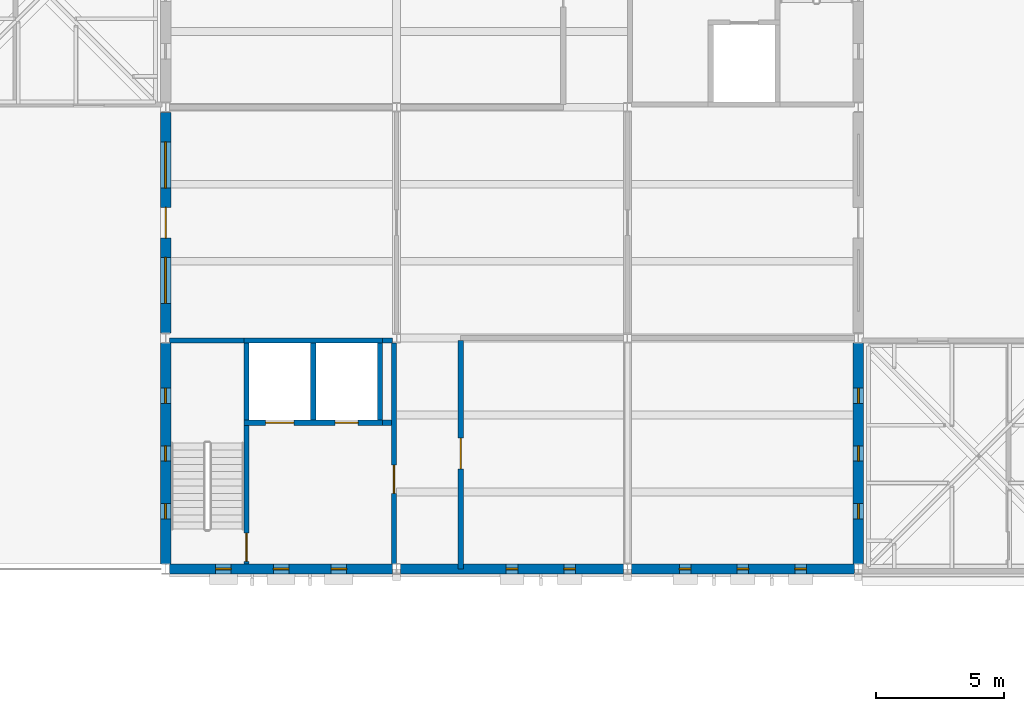
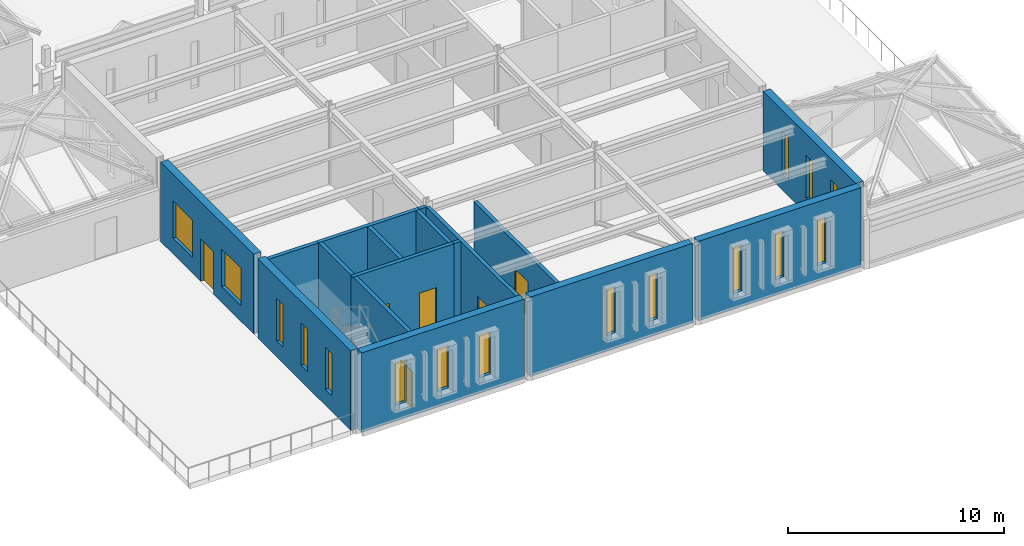
# One storey, part 89 of 149: 17 walls, 16 windows, 6 doors, 22 openings.
"""IFC4 building model written with IfcOpenShell, lengths in metres."""

from ifc_helpers import new_model, si_unit, direction, frame, frame_2d, origin, place, context, subcontext, project, spatial, rectangle, extrude, material, layer, layer_set, type_object, element, fill, save


model = new_model("IFC4")

# Units and contexts
model_context = context("Model", 3, precision=1e-05, world=origin(), true_north=direction((0.0, 1.0)))
body_context = subcontext(model_context, "Body", "Model", "MODEL_VIEW")
ifc_project = project(units=[si_unit("LENGTHUNIT", "METRE"), si_unit("AREAUNIT", "SQUARE_METRE"), si_unit("VOLUMEUNIT", "CUBIC_METRE"), si_unit("PLANEANGLEUNIT", "RADIAN"), si_unit("MASSUNIT", "GRAM", prefix="KILO")], contexts=[model_context])

# Site, building, storey
site_placement = place(None, origin())
site = spatial("IfcSite", under=ifc_project, at=site_placement, CompositionType="ELEMENT")
building_placement = place(site_placement, origin())
building = spatial("IfcBuilding", under=site, at=building_placement, Name="Kallimachos Central Library", CompositionType="ELEMENT")
storey_placement = place(building_placement, frame((0.0, 0.0, 9.89990234375)))
storey = spatial("IfcBuildingStorey", under=building, at=storey_placement, Name="L02", CompositionType="ELEMENT", Elevation=9.89990234375)

# Wall, opening, door
ifc_material_1 = material(Name="Concrete C30/37", Category="concrete")
ifc_layer_1 = layer(ifc_material_1, 0.199951171875)
ifc_layer_set_1 = layer_set([ifc_layer_1], Name="Compartment wall 200")
wall_type_1 = type_object("IfcWallType", Name="Compartment wall 200", PredefinedType="SOLIDWALL", material=ifc_layer_set_1)
wall_1_placement = place(storey_placement, frame((86.0, 18.0, 0.0), z_axis=(0.0, 0.0, 1.0), x_axis=(0.0, 1.0, 0.0)))
wall_1 = element("IfcWall", 1, at=wall_1_placement, inside=storey, type_object=wall_type_1, Name="V5-WAL-L02-052", PredefinedType="SOLIDWALL", context=body_context, shape_type="SweptSolid", body=[
    extrude(rectangle(XDim=8.89990234375, YDim=0.199951171875, at=frame_2d((4.449951171875, 0.0))), origin(), (0.0, 0.0, 1.0), 3.60009765625),
])
opening_1_placement = place(wall_1_placement, frame((3.89990234375, 0.0, 0.0)))
opening_1 = element("IfcOpeningElement", 2, at=opening_1_placement, cuts=wall_1, Name="Opening D119", PredefinedType="OPENING", context=body_context, shape_type="SweptSolid", body=[
    extrude(rectangle(XDim=1.199951171875, YDim=2.10009765625, at=frame_2d((0.60009765625, 1.050048828125))), frame((0.0, 0.10986328125, 0.0), z_axis=(0.0, -1.0, 0.0), x_axis=(1.0, 0.0, 0.0)), (0.0, 0.0, 1.0), 0.219970703125),
])
ifc_material_2 = material(Name="Steel fire door", Category="steel")
door_type_1 = type_object("IfcDoorType", Name="Fire door EI2 90 1200 x 2100", OperationType="DOUBLE_DOOR_SINGLE_SWING", PredefinedType="DOOR", material=ifc_material_2)
door_1_placement = place(opening_1_placement, origin())
door_1 = element("IfcDoor", 3, at=door_1_placement, inside=storey, type_object=door_type_1, Name="Archive Store 2 door", OperationType="DOUBLE_DOOR_SINGLE_SWING", OverallHeight=2.10009765625, OverallWidth=1.199951171875, PredefinedType="DOOR", context=body_context, shape_type="SweptSolid", body=[
    extrude(rectangle(XDim=1.199951171875, YDim=2.10009765625, at=frame_2d((0.60009765625, 1.050048828125))), frame((0.0, 0.02490234375, 0.0), z_axis=(0.0, -1.0, 0.0), x_axis=(1.0, 0.0, 0.0)), (0.0, 0.0, 1.0), 0.050048828125),
])
fill(opening_1, door_1)

# Walls
ifc_material_3 = material(Name="Concrete C30/37", Category="concrete")
ifc_layer_2 = layer(ifc_material_3, 0.199951171875)
ifc_layer_set_2 = layer_set([ifc_layer_2], Name="Core wall 200")
wall_type_2 = type_object("IfcWallType", Name="Core wall 200", PredefinedType="SOLIDWALL", material=ifc_layer_set_2)
wall_2_placement = place(storey_placement, frame((74.64990234375, 26.89990234375, 0.0), z_axis=(0.0, 0.0, 1.0), x_axis=(1.0, 0.0, 0.0)))
element("IfcWall", 4, at=wall_2_placement, inside=storey, type_object=wall_type_2, Name="V5-WAL-L02-036", PredefinedType="SOLIDWALL", context=body_context, shape_type="SweptSolid", body=[
    extrude(rectangle(XDim=2.900146484375, YDim=0.199951171875, at=frame_2d((1.4501953125, 0.0))), origin(), (0.0, 0.0, 1.0), 4.25),
])
wall_3_placement = place(storey_placement, frame((82.949951171875, 26.89990234375, 0.0), z_axis=(0.0, 0.0, 1.0), x_axis=(1.0, 0.0, 0.0)))
element("IfcWall", 5, at=wall_3_placement, inside=storey, type_object=wall_type_2, Name="V5-WAL-L02-037", PredefinedType="SOLIDWALL", context=body_context, shape_type="SweptSolid", body=[
    extrude(rectangle(XDim=0.3955078125, YDim=0.199951171875, at=frame_2d((0.19775390625, 0.0))), origin(), (0.0, 0.0, 1.0), 4.25),
])

# Wall, opening, door
wall_4_placement = place(storey_placement, frame((83.39990234375, 18.199951171875, 0.0), z_axis=(0.0, 0.0, 1.0), x_axis=(0.0, 1.0, 0.0)))
wall_4 = element("IfcWall", 6, at=wall_4_placement, inside=storey, type_object=wall_type_2, Name="V5-WAL-L02-038", PredefinedType="SOLIDWALL", context=body_context, shape_type="SweptSolid", body=[
    extrude(rectangle(XDim=8.611572265625, YDim=0.199951171875, at=frame_2d((4.3056640625, 0.0))), origin(), (0.0, 0.0, 1.0), 4.25),
])
opening_2_placement = place(wall_4_placement, frame((2.75, 0.0, 0.0)))
opening_2 = element("IfcOpeningElement", 7, at=opening_2_placement, cuts=wall_4, Name="Opening D110", PredefinedType="OPENING", context=body_context, shape_type="SweptSolid", body=[
    extrude(rectangle(XDim=1.10009765625, YDim=2.10009765625, at=frame_2d((0.550048828125, 1.050048828125))), frame((0.0, 0.10986328125, 0.0), z_axis=(0.0, -1.0, 0.0), x_axis=(1.0, 0.0, 0.0)), (0.0, 0.0, 1.0), 0.219970703125),
])
ifc_material_4 = material(Name="Steel fire door", Category="steel")
door_type_2 = type_object("IfcDoorType", Name="Fire door EI2 90 1100 x 2100", OperationType="NOTDEFINED", PredefinedType="DOOR", material=ifc_material_4)
door_2_placement = place(opening_2_placement, origin())
door_2 = element("IfcDoor", 8, at=door_2_placement, inside=storey, type_object=door_type_2, Name="ST13 lobby door L02", OperationType="SINGLE_SWING_RIGHT", OverallHeight=2.10009765625, OverallWidth=1.10009765625, PredefinedType="DOOR", context=body_context, shape_type="SweptSolid", body=[
    extrude(rectangle(XDim=1.10009765625, YDim=2.10009765625, at=frame_2d((0.550048828125, 1.050048828125))), frame((0.0, 0.02490234375, 0.0), z_axis=(0.0, -1.0, 0.0), x_axis=(1.0, 0.0, 0.0)), (0.0, 0.0, 1.0), 0.050048828125),
])
fill(opening_2, door_2)

wall_5_placement = place(storey_placement, frame((77.64990234375, 18.199951171875, 0.0), z_axis=(0.0, 0.0, 1.0), x_axis=(0.0, 1.0, 0.0)))
wall_5 = element("IfcWall", 9, at=wall_5_placement, inside=storey, type_object=wall_type_2, Name="V5-WAL-L02-039", PredefinedType="SOLIDWALL", context=body_context, shape_type="SweptSolid", body=[
    extrude(rectangle(XDim=5.60009765625, YDim=0.199951171875, at=frame_2d((2.800048828125, 0.0))), origin(), (0.0, 0.0, 1.0), 4.25),
])
opening_3_placement = place(wall_5_placement, frame((0.10009765625, 0.0, 0.0)))
opening_3 = element("IfcOpeningElement", 10, at=opening_3_placement, cuts=wall_5, Name="Opening D109", PredefinedType="OPENING", context=body_context, shape_type="SweptSolid", body=[
    extrude(rectangle(XDim=1.10009765625, YDim=2.10009765625, at=frame_2d((0.550048828125, 1.050048828125))), frame((0.0, 0.10986328125, 0.0), z_axis=(0.0, -1.0, 0.0), x_axis=(1.0, 0.0, 0.0)), (0.0, 0.0, 1.0), 0.219970703125),
])
door_3_placement = place(opening_3_placement, origin())
door_3 = element("IfcDoor", 11, at=door_3_placement, inside=storey, type_object=door_type_2, Name="ST13 stair door L02", OperationType="SINGLE_SWING_RIGHT", OverallHeight=2.10009765625, OverallWidth=1.10009765625, PredefinedType="DOOR", context=body_context, shape_type="SweptSolid", body=[
    extrude(rectangle(XDim=1.10009765625, YDim=2.10009765625, at=frame_2d((0.550048828125, 1.050048828125))), frame((0.0, 0.02490234375, 0.0), z_axis=(0.0, -1.0, 0.0), x_axis=(1.0, 0.0, 0.0)), (0.0, 0.0, 1.0), 0.050048828125),
])
fill(opening_3, door_3)

# Wall
wall_6_placement = place(storey_placement, frame((82.949951171875, 23.699951171875, 0.0), z_axis=(0.0, 0.0, 1.0), x_axis=(1.0, 0.0, 0.0)))
element("IfcWall", 12, at=wall_6_placement, inside=storey, type_object=wall_type_2, Name="V5-WAL-L02-040", PredefinedType="SOLIDWALL", context=body_context, shape_type="SweptSolid", body=[
    extrude(rectangle(XDim=0.35009765625, YDim=0.199951171875, at=frame_2d((0.175048828125, 0.0))), origin(), (0.0, 0.0, 1.0), 4.25),
])

# Wall, openings, doors
ifc_material_5 = material(Name="Concrete C30/37", Category="concrete")
ifc_layer_3 = layer(ifc_material_5, 0.199951171875)
ifc_layer_set_3 = layer_set([ifc_layer_3], Name="Lift shaft wall 200")
wall_type_3 = type_object("IfcWallType", Name="Lift shaft wall 200", PredefinedType="SOLIDWALL", material=ifc_layer_set_3)
wall_7_placement = place(storey_placement, frame((77.550048828125, 23.699951171875, 0.0), z_axis=(0.0, 0.0, 1.0), x_axis=(1.0, 0.0, 0.0)))
wall_7 = element("IfcWall", 13, at=wall_7_placement, inside=storey, type_object=wall_type_3, Name="V5-WAL-L02-001", PredefinedType="SOLIDWALL", context=body_context, shape_type="SweptSolid", body=[
    extrude(rectangle(XDim=5.39990234375, YDim=0.199951171875, at=frame_2d((2.699951171875, 0.0))), origin(), (0.0, 0.0, 1.0), 4.25),
])
opening_4_placement = place(wall_7_placement, frame((0.85009765625, 0.0, 0.0)))
opening_4 = element("IfcOpeningElement", 14, at=opening_4_placement, cuts=wall_7, Name="Opening LD1100", PredefinedType="OPENING", context=body_context, shape_type="SweptSolid", body=[
    extrude(rectangle(XDim=1.10009765625, YDim=2.10009765625, at=frame_2d((0.550048828125, 1.050048828125))), frame((0.0, 0.10986328125, 0.0), z_axis=(0.0, -1.0, 0.0), x_axis=(1.0, 0.0, 0.0)), (0.0, 0.0, 1.0), 0.219970703125),
])
opening_5_placement = place(wall_7_placement, frame((3.550048828125, 0.0, 0.0)))
opening_5 = element("IfcOpeningElement", 15, at=opening_5_placement, cuts=wall_7, Name="Opening LD900", PredefinedType="OPENING", context=body_context, shape_type="SweptSolid", body=[
    extrude(rectangle(XDim=0.89990234375, YDim=2.10009765625, at=frame_2d((0.449951171875, 1.050048828125))), frame((0.0, 0.10986328125, 0.0), z_axis=(0.0, -1.0, 0.0), x_axis=(1.0, 0.0, 0.0)), (0.0, 0.0, 1.0), 0.219970703125),
])
ifc_material_6 = material(Name="Stainless steel", Category="steel")
door_type_3 = type_object("IfcDoorType", Name="Lift landing door 1100 x 2100", OperationType="SLIDING_TO_LEFT", PredefinedType="DOOR", material=ifc_material_6)
door_4_placement = place(opening_4_placement, origin())
door_4 = element("IfcDoor", 16, at=door_4_placement, inside=storey, type_object=door_type_3, Name="LF11 landing door L02", OperationType="SLIDING_TO_LEFT", OverallHeight=2.10009765625, OverallWidth=1.10009765625, PredefinedType="DOOR", context=body_context, shape_type="SweptSolid", body=[
    extrude(rectangle(XDim=1.10009765625, YDim=2.10009765625, at=frame_2d((0.550048828125, 1.050048828125))), frame((0.0, 0.02490234375, 0.0), z_axis=(0.0, -1.0, 0.0), x_axis=(1.0, 0.0, 0.0)), (0.0, 0.0, 1.0), 0.050048828125),
])
fill(opening_4, door_4)
ifc_material_7 = material(Name="Stainless steel", Category="steel")
door_type_4 = type_object("IfcDoorType", Name="Lift landing door 900 x 2100", OperationType="SLIDING_TO_LEFT", PredefinedType="DOOR", material=ifc_material_7)
door_5_placement = place(opening_5_placement, origin())
door_5 = element("IfcDoor", 17, at=door_5_placement, inside=storey, type_object=door_type_4, Name="LF12 landing door L02", OperationType="SLIDING_TO_LEFT", OverallHeight=2.10009765625, OverallWidth=0.89990234375, PredefinedType="DOOR", context=body_context, shape_type="SweptSolid", body=[
    extrude(rectangle(XDim=0.89990234375, YDim=2.10009765625, at=frame_2d((0.449951171875, 1.050048828125))), frame((0.0, 0.02490234375, 0.0), z_axis=(0.0, -1.0, 0.0), x_axis=(1.0, 0.0, 0.0)), (0.0, 0.0, 1.0), 0.050048828125),
])
fill(opening_5, door_5)

# Walls
wall_8_placement = place(storey_placement, frame((77.550048828125, 26.89990234375, 0.0), z_axis=(0.0, 0.0, 1.0), x_axis=(1.0, 0.0, 0.0)))
element("IfcWall", 18, at=wall_8_placement, inside=storey, type_object=wall_type_3, Name="V5-WAL-L02-002", PredefinedType="SOLIDWALL", context=body_context, shape_type="SweptSolid", body=[
    extrude(rectangle(XDim=5.39990234375, YDim=0.199951171875, at=frame_2d((2.699951171875, 0.0))), origin(), (0.0, 0.0, 1.0), 4.25),
])
for number, where, z_axis, x_axis, name in (
    (19, (77.64990234375, 23.800048828125, 0.0), (0.0, 0.0, 1.0), (0.0, 1.0, 0.0), "V5-WAL-L02-003"),
    (20, (80.25, 23.800048828125, 0.0), (0.0, 0.0, 1.0), (0.0, 1.0, 0.0), "V5-WAL-L02-004"),
    (21, (82.85009765625, 23.800048828125, 0.0), (0.0, 0.0, 1.0), (0.0, 1.0, 0.0), "V5-WAL-L02-005"),
):
    element("IfcWall", number, at=place(storey_placement, frame(where, z_axis=z_axis, x_axis=x_axis)), inside=storey, type_object=wall_type_3, Name=name, PredefinedType="SOLIDWALL", context=body_context, shape_type="SweptSolid", body=[
        extrude(rectangle(XDim=3.0, YDim=0.199951171875, at=frame_2d((1.5, 0.0))), origin(), (0.0, 0.0, 1.0), 4.25),
    ])

# Wall, openings, windows
ifc_material_8 = material(Name="Pentelic marble masonry", Category="masonry")
ifc_layer_4 = layer(ifc_material_8, 0.39990234375)
ifc_layer_set_4 = layer_set([ifc_layer_4], Name="Stone masonry wall 400")
wall_type_4 = type_object("IfcWallType", Name="Stone masonry wall 400", PredefinedType="SOLIDWALL", material=ifc_layer_set_4)
wall_9_placement = place(storey_placement, frame((83.64990234375, 18.0, 0.0), z_axis=(0.0, 0.0, 1.0), x_axis=(1.0, 0.0, 0.0)))
wall_9 = element("IfcWall", 22, at=wall_9_placement, inside=storey, type_object=wall_type_4, Name="V5-WAL-L02-019", PredefinedType="SOLIDWALL", context=body_context, shape_type="SweptSolid", body=[
    extrude(rectangle(XDim=8.7001953125, YDim=0.39990234375, at=frame_2d((4.35009765625, 0.0))), origin(), (0.0, 0.0, 1.0), 4.5),
])
opening_6_placement = place(wall_9_placement, frame((4.125, 0.0, 0.89990234375)))
opening_6 = element("IfcOpeningElement", 23, at=opening_6_placement, cuts=wall_9, Name="Opening WN71", PredefinedType="OPENING", context=body_context, shape_type="SweptSolid", body=[
    extrude(rectangle(XDim=0.449951171875, YDim=2.60009765625, at=frame_2d((0.22509765625, 1.300048828125))), frame((0.0, 0.2099609375, 0.0), z_axis=(0.0, -1.0, 0.0), x_axis=(1.0, 0.0, 0.0)), (0.0, 0.0, 1.0), 0.419921875),
])
opening_7_placement = place(wall_9_placement, frame((6.375, 0.0, 0.89990234375)))
opening_7 = element("IfcOpeningElement", 24, at=opening_7_placement, cuts=wall_9, Name="Opening WN72", PredefinedType="OPENING", context=body_context, shape_type="SweptSolid", body=[
    extrude(rectangle(XDim=0.449951171875, YDim=2.60009765625, at=frame_2d((0.22509765625, 1.300048828125))), frame((0.0, 0.2099609375, 0.0), z_axis=(0.0, -1.0, 0.0), x_axis=(1.0, 0.0, 0.0)), (0.0, 0.0, 1.0), 0.419921875),
])
ifc_material_9 = material(Name="Anodised aluminium and laminated glass", Category="aluminium")
window_type_1 = type_object("IfcWindowType", Name="Stack slot window 450 x 2600", PartitioningType="SINGLE_PANEL", PredefinedType="WINDOW", material=ifc_material_9)
window_1_placement = place(opening_6_placement, origin())
window_1 = element("IfcWindow", 25, at=window_1_placement, inside=storey, type_object=window_type_1, Name="V5-WIN-L02-004", OverallHeight=2.60009765625, OverallWidth=0.449951171875, PartitioningType="SINGLE_PANEL", PredefinedType="WINDOW", context=body_context, shape_type="SweptSolid", body=[
    extrude(rectangle(XDim=0.449951171875, YDim=2.60009765625, at=frame_2d((0.22509765625, 1.300048828125))), frame((0.0, 0.030029296875, 0.0), z_axis=(0.0, -1.0, 0.0), x_axis=(1.0, 0.0, 0.0)), (0.0, 0.0, 1.0), 0.06005859375),
])
fill(opening_6, window_1)
window_2_placement = place(opening_7_placement, origin())
window_2 = element("IfcWindow", 26, at=window_2_placement, inside=storey, type_object=window_type_1, Name="V5-WIN-L02-005", OverallHeight=2.60009765625, OverallWidth=0.449951171875, PartitioningType="SINGLE_PANEL", PredefinedType="WINDOW", context=body_context, shape_type="SweptSolid", body=[
    extrude(rectangle(XDim=0.449951171875, YDim=2.60009765625, at=frame_2d((0.22509765625, 1.300048828125))), frame((0.0, 0.030029296875, 0.0), z_axis=(0.0, -1.0, 0.0), x_axis=(1.0, 0.0, 0.0)), (0.0, 0.0, 1.0), 0.06005859375),
])
fill(opening_7, window_2)

wall_10_placement = place(storey_placement, frame((92.64990234375, 18.0, 0.0), z_axis=(0.0, 0.0, 1.0), x_axis=(1.0, 0.0, 0.0)))
wall_10 = element("IfcWall", 27, at=wall_10_placement, inside=storey, type_object=wall_type_4, Name="V5-WAL-L02-020", PredefinedType="SOLIDWALL", context=body_context, shape_type="SweptSolid", body=[
    extrude(rectangle(XDim=8.7001953125, YDim=0.39990234375, at=frame_2d((4.35009765625, 0.0))), origin(), (0.0, 0.0, 1.0), 4.5),
])
opening_8_placement = place(wall_10_placement, frame((1.875, 0.0, 0.89990234375)))
opening_8 = element("IfcOpeningElement", 28, at=opening_8_placement, cuts=wall_10, Name="Opening WN73", PredefinedType="OPENING", context=body_context, shape_type="SweptSolid", body=[
    extrude(rectangle(XDim=0.449951171875, YDim=2.60009765625, at=frame_2d((0.22509765625, 1.300048828125))), frame((0.0, 0.2099609375, 0.0), z_axis=(0.0, -1.0, 0.0), x_axis=(1.0, 0.0, 0.0)), (0.0, 0.0, 1.0), 0.419921875),
])
opening_9_placement = place(wall_10_placement, frame((4.125, 0.0, 0.89990234375)))
opening_9 = element("IfcOpeningElement", 29, at=opening_9_placement, cuts=wall_10, Name="Opening WN74", PredefinedType="OPENING", context=body_context, shape_type="SweptSolid", body=[
    extrude(rectangle(XDim=0.449951171875, YDim=2.60009765625, at=frame_2d((0.22509765625, 1.300048828125))), frame((0.0, 0.2099609375, 0.0), z_axis=(0.0, -1.0, 0.0), x_axis=(1.0, 0.0, 0.0)), (0.0, 0.0, 1.0), 0.419921875),
])
opening_10_placement = place(wall_10_placement, frame((6.375, 0.0, 0.89990234375)))
opening_10 = element("IfcOpeningElement", 30, at=opening_10_placement, cuts=wall_10, Name="Opening WN75", PredefinedType="OPENING", context=body_context, shape_type="SweptSolid", body=[
    extrude(rectangle(XDim=0.449951171875, YDim=2.60009765625, at=frame_2d((0.22509765625, 1.300048828125))), frame((0.0, 0.2099609375, 0.0), z_axis=(0.0, -1.0, 0.0), x_axis=(1.0, 0.0, 0.0)), (0.0, 0.0, 1.0), 0.419921875),
])
window_3_placement = place(opening_8_placement, origin())
window_3 = element("IfcWindow", 31, at=window_3_placement, inside=storey, type_object=window_type_1, Name="V5-WIN-L02-006", OverallHeight=2.60009765625, OverallWidth=0.449951171875, PartitioningType="SINGLE_PANEL", PredefinedType="WINDOW", context=body_context, shape_type="SweptSolid", body=[
    extrude(rectangle(XDim=0.449951171875, YDim=2.60009765625, at=frame_2d((0.22509765625, 1.300048828125))), frame((0.0, 0.030029296875, 0.0), z_axis=(0.0, -1.0, 0.0), x_axis=(1.0, 0.0, 0.0)), (0.0, 0.0, 1.0), 0.06005859375),
])
fill(opening_8, window_3)
window_4_placement = place(opening_9_placement, origin())
window_4 = element("IfcWindow", 32, at=window_4_placement, inside=storey, type_object=window_type_1, Name="V5-WIN-L02-007", OverallHeight=2.60009765625, OverallWidth=0.449951171875, PartitioningType="SINGLE_PANEL", PredefinedType="WINDOW", context=body_context, shape_type="SweptSolid", body=[
    extrude(rectangle(XDim=0.449951171875, YDim=2.60009765625, at=frame_2d((0.22509765625, 1.300048828125))), frame((0.0, 0.030029296875, 0.0), z_axis=(0.0, -1.0, 0.0), x_axis=(1.0, 0.0, 0.0)), (0.0, 0.0, 1.0), 0.06005859375),
])
fill(opening_9, window_4)
window_5_placement = place(opening_10_placement, origin())
window_5 = element("IfcWindow", 33, at=window_5_placement, inside=storey, type_object=window_type_1, Name="V5-WIN-L02-008", OverallHeight=2.60009765625, OverallWidth=0.449951171875, PartitioningType="SINGLE_PANEL", PredefinedType="WINDOW", context=body_context, shape_type="SweptSolid", body=[
    extrude(rectangle(XDim=0.449951171875, YDim=2.60009765625, at=frame_2d((0.22509765625, 1.300048828125))), frame((0.0, 0.030029296875, 0.0), z_axis=(0.0, -1.0, 0.0), x_axis=(1.0, 0.0, 0.0)), (0.0, 0.0, 1.0), 0.06005859375),
])
fill(opening_10, window_5)

# Wall, openings, door, windows
wall_11_placement = place(storey_placement, frame((74.5, 27.199951171875, 0.0), z_axis=(0.0, 0.0, 1.0), x_axis=(0.0, 1.0, 0.0)))
wall_11 = element("IfcWall", 34, at=wall_11_placement, inside=storey, type_object=wall_type_4, Name="V5-WAL-L02-025", PredefinedType="SOLIDWALL", context=body_context, shape_type="SweptSolid", body=[
    extrude(rectangle(XDim=8.60009765625, YDim=0.39990234375, at=frame_2d((4.300048828125, 0.0))), origin(), (0.0, 0.0, 1.0), 4.5),
])
opening_11_placement = place(wall_11_placement, frame((3.699951171875, 0.0, 0.0)))
opening_11 = element("IfcOpeningElement", 35, at=opening_11_placement, cuts=wall_11, Name="Opening D23", PredefinedType="OPENING", context=body_context, shape_type="SweptSolid", body=[
    extrude(rectangle(XDim=1.199951171875, YDim=2.39990234375, at=frame_2d((0.60009765625, 1.199951171875))), frame((0.0, 0.2099609375, 0.0), z_axis=(0.0, -1.0, 0.0), x_axis=(1.0, 0.0, 0.0)), (0.0, 0.0, 1.0), 0.419921875),
])
opening_12_placement = place(wall_11_placement, frame((1.14990234375, 0.0, 0.89990234375)))
opening_12 = element("IfcOpeningElement", 36, at=opening_12_placement, cuts=wall_11, Name="Opening WN87", PredefinedType="OPENING", context=body_context, shape_type="SweptSolid", body=[
    extrude(rectangle(XDim=1.800048828125, YDim=2.10009765625, at=frame_2d((0.89990234375, 1.050048828125))), frame((0.0, 0.2099609375, 0.0), z_axis=(0.0, -1.0, 0.0), x_axis=(1.0, 0.0, 0.0)), (0.0, 0.0, 1.0), 0.419921875),
])
opening_13_placement = place(wall_11_placement, frame((5.64990234375, 0.0, 0.89990234375)))
opening_13 = element("IfcOpeningElement", 37, at=opening_13_placement, cuts=wall_11, Name="Opening WN88", PredefinedType="OPENING", context=body_context, shape_type="SweptSolid", body=[
    extrude(rectangle(XDim=1.800048828125, YDim=2.10009765625, at=frame_2d((0.89990234375, 1.050048828125))), frame((0.0, 0.2099609375, 0.0), z_axis=(0.0, -1.0, 0.0), x_axis=(1.0, 0.0, 0.0)), (0.0, 0.0, 1.0), 0.419921875),
])
ifc_material_10 = material(Name="Anodised aluminium and laminated glass", Category="aluminium")
door_type_5 = type_object("IfcDoorType", Name="Garden door 1200 x 2400", OperationType="DOUBLE_DOOR_SINGLE_SWING", PredefinedType="DOOR", material=ifc_material_10)
door_6_placement = place(opening_11_placement, origin())
door_6 = element("IfcDoor", 38, at=door_6_placement, inside=storey, type_object=door_type_5, Name="West garden door", OperationType="DOUBLE_DOOR_SINGLE_SWING", OverallHeight=2.39990234375, OverallWidth=1.199951171875, PredefinedType="DOOR", context=body_context, shape_type="SweptSolid", body=[
    extrude(rectangle(XDim=1.199951171875, YDim=2.39990234375, at=frame_2d((0.60009765625, 1.199951171875))), frame((0.0, 0.02490234375, 0.0), z_axis=(0.0, -1.0, 0.0), x_axis=(1.0, 0.0, 0.0)), (0.0, 0.0, 1.0), 0.050048828125),
])
fill(opening_11, door_6)
ifc_material_11 = material(Name="Anodised aluminium and laminated glass", Category="aluminium")
window_type_2 = type_object("IfcWindowType", Name="Paired window 1800 x 2100", PartitioningType="SINGLE_PANEL", PredefinedType="WINDOW", material=ifc_material_11)
window_6_placement = place(opening_12_placement, origin())
window_6 = element("IfcWindow", 39, at=window_6_placement, inside=storey, type_object=window_type_2, Name="V5-WIN-L02-020", OverallHeight=2.10009765625, OverallWidth=1.800048828125, PartitioningType="SINGLE_PANEL", PredefinedType="WINDOW", context=body_context, shape_type="SweptSolid", body=[
    extrude(rectangle(XDim=1.800048828125, YDim=2.10009765625, at=frame_2d((0.89990234375, 1.050048828125))), frame((0.0, 0.030029296875, 0.0), z_axis=(0.0, -1.0, 0.0), x_axis=(1.0, 0.0, 0.0)), (0.0, 0.0, 1.0), 0.06005859375),
])
fill(opening_12, window_6)
window_7_placement = place(opening_13_placement, origin())
window_7 = element("IfcWindow", 40, at=window_7_placement, inside=storey, type_object=window_type_2, Name="V5-WIN-L02-021", OverallHeight=2.10009765625, OverallWidth=1.800048828125, PartitioningType="SINGLE_PANEL", PredefinedType="WINDOW", context=body_context, shape_type="SweptSolid", body=[
    extrude(rectangle(XDim=1.800048828125, YDim=2.10009765625, at=frame_2d((0.89990234375, 1.050048828125))), frame((0.0, 0.030029296875, 0.0), z_axis=(0.0, -1.0, 0.0), x_axis=(1.0, 0.0, 0.0)), (0.0, 0.0, 1.0), 0.06005859375),
])
fill(opening_13, window_7)

# Wall, openings, windows
ifc_material_12 = material(Name="Concrete C30/37", Category="concrete")
ifc_layer_5 = layer(ifc_material_12, 0.39990234375)
ifc_layer_set_5 = layer_set([ifc_layer_5], Name="Stone-clad core wall 400")
wall_type_5 = type_object("IfcWallType", Name="Stone-clad core wall 400", PredefinedType="SOLIDWALL", material=ifc_layer_set_5)
wall_12_placement = place(storey_placement, frame((74.64990234375, 18.0, 0.0), z_axis=(0.0, 0.0, 1.0), x_axis=(1.0, 0.0, 0.0)))
wall_12 = element("IfcWall", 41, at=wall_12_placement, inside=storey, type_object=wall_type_5, Name="V5-WAL-L02-018", PredefinedType="SOLIDWALL", context=body_context, shape_type="SweptSolid", body=[
    extrude(rectangle(XDim=8.7001953125, YDim=0.39990234375, at=frame_2d((4.35009765625, 0.0))), origin(), (0.0, 0.0, 1.0), 4.5),
])
opening_14_placement = place(wall_12_placement, frame((1.800048828125, 0.0, 0.89990234375)))
opening_14 = element("IfcOpeningElement", 42, at=opening_14_placement, cuts=wall_12, Name="Opening WN68", PredefinedType="OPENING", context=body_context, shape_type="SweptSolid", body=[
    extrude(rectangle(XDim=0.60009765625, YDim=2.39990234375, at=frame_2d((0.300048828125, 1.199951171875))), frame((0.0, 0.2099609375, 0.0), z_axis=(0.0, -1.0, 0.0), x_axis=(1.0, 0.0, 0.0)), (0.0, 0.0, 1.0), 0.419921875),
])
opening_15_placement = place(wall_12_placement, frame((4.050048828125, 0.0, 0.89990234375)))
opening_15 = element("IfcOpeningElement", 43, at=opening_15_placement, cuts=wall_12, Name="Opening WN69", PredefinedType="OPENING", context=body_context, shape_type="SweptSolid", body=[
    extrude(rectangle(XDim=0.60009765625, YDim=2.39990234375, at=frame_2d((0.300048828125, 1.199951171875))), frame((0.0, 0.2099609375, 0.0), z_axis=(0.0, -1.0, 0.0), x_axis=(1.0, 0.0, 0.0)), (0.0, 0.0, 1.0), 0.419921875),
])
opening_16_placement = place(wall_12_placement, frame((6.300048828125, 0.0, 0.89990234375)))
opening_16 = element("IfcOpeningElement", 44, at=opening_16_placement, cuts=wall_12, Name="Opening WN70", PredefinedType="OPENING", context=body_context, shape_type="SweptSolid", body=[
    extrude(rectangle(XDim=0.60009765625, YDim=2.39990234375, at=frame_2d((0.300048828125, 1.199951171875))), frame((0.0, 0.2099609375, 0.0), z_axis=(0.0, -1.0, 0.0), x_axis=(1.0, 0.0, 0.0)), (0.0, 0.0, 1.0), 0.419921875),
])
ifc_material_13 = material(Name="Anodised aluminium and laminated glass", Category="aluminium")
window_type_3 = type_object("IfcWindowType", Name="Slot window 600 x 2400", PartitioningType="SINGLE_PANEL", PredefinedType="WINDOW", material=ifc_material_13)
window_8_placement = place(opening_14_placement, origin())
window_8 = element("IfcWindow", 45, at=window_8_placement, inside=storey, type_object=window_type_3, Name="V5-WIN-L02-001", OverallHeight=2.39990234375, OverallWidth=0.60009765625, PartitioningType="SINGLE_PANEL", PredefinedType="WINDOW", context=body_context, shape_type="SweptSolid", body=[
    extrude(rectangle(XDim=0.60009765625, YDim=2.39990234375, at=frame_2d((0.300048828125, 1.199951171875))), frame((0.0, 0.030029296875, 0.0), z_axis=(0.0, -1.0, 0.0), x_axis=(1.0, 0.0, 0.0)), (0.0, 0.0, 1.0), 0.06005859375),
])
fill(opening_14, window_8)
window_9_placement = place(opening_15_placement, origin())
window_9 = element("IfcWindow", 46, at=window_9_placement, inside=storey, type_object=window_type_3, Name="V5-WIN-L02-002", OverallHeight=2.39990234375, OverallWidth=0.60009765625, PartitioningType="SINGLE_PANEL", PredefinedType="WINDOW", context=body_context, shape_type="SweptSolid", body=[
    extrude(rectangle(XDim=0.60009765625, YDim=2.39990234375, at=frame_2d((0.300048828125, 1.199951171875))), frame((0.0, 0.030029296875, 0.0), z_axis=(0.0, -1.0, 0.0), x_axis=(1.0, 0.0, 0.0)), (0.0, 0.0, 1.0), 0.06005859375),
])
fill(opening_15, window_9)
window_10_placement = place(opening_16_placement, origin())
window_10 = element("IfcWindow", 47, at=window_10_placement, inside=storey, type_object=window_type_3, Name="V5-WIN-L02-003", OverallHeight=2.39990234375, OverallWidth=0.60009765625, PartitioningType="SINGLE_PANEL", PredefinedType="WINDOW", context=body_context, shape_type="SweptSolid", body=[
    extrude(rectangle(XDim=0.60009765625, YDim=2.39990234375, at=frame_2d((0.300048828125, 1.199951171875))), frame((0.0, 0.030029296875, 0.0), z_axis=(0.0, -1.0, 0.0), x_axis=(1.0, 0.0, 0.0)), (0.0, 0.0, 1.0), 0.06005859375),
])
fill(opening_16, window_10)

wall_13_placement = place(storey_placement, frame((74.5, 18.199951171875, 0.0), z_axis=(0.0, 0.0, 1.0), x_axis=(0.0, 1.0, 0.0)))
wall_13 = element("IfcWall", 48, at=wall_13_placement, inside=storey, type_object=wall_type_5, Name="V5-WAL-L02-024", PredefinedType="SOLIDWALL", context=body_context, shape_type="SweptSolid", body=[
    extrude(rectangle(XDim=8.60009765625, YDim=0.39990234375, at=frame_2d((4.300048828125, 0.0))), origin(), (0.0, 0.0, 1.0), 4.5),
])
opening_17_placement = place(wall_13_placement, frame((1.75, 0.0, 0.89990234375)))
opening_17 = element("IfcOpeningElement", 49, at=opening_17_placement, cuts=wall_13, Name="Opening WN84", PredefinedType="OPENING", context=body_context, shape_type="SweptSolid", body=[
    extrude(rectangle(XDim=0.60009765625, YDim=2.39990234375, at=frame_2d((0.300048828125, 1.199951171875))), frame((0.0, 0.2099609375, 0.0), z_axis=(0.0, -1.0, 0.0), x_axis=(1.0, 0.0, 0.0)), (0.0, 0.0, 1.0), 0.419921875),
])
opening_18_placement = place(wall_13_placement, frame((4.0, 0.0, 0.89990234375)))
opening_18 = element("IfcOpeningElement", 50, at=opening_18_placement, cuts=wall_13, Name="Opening WN85", PredefinedType="OPENING", context=body_context, shape_type="SweptSolid", body=[
    extrude(rectangle(XDim=0.60009765625, YDim=2.39990234375, at=frame_2d((0.300048828125, 1.199951171875))), frame((0.0, 0.2099609375, 0.0), z_axis=(0.0, -1.0, 0.0), x_axis=(1.0, 0.0, 0.0)), (0.0, 0.0, 1.0), 0.419921875),
])
opening_19_placement = place(wall_13_placement, frame((6.25, 0.0, 0.89990234375)))
opening_19 = element("IfcOpeningElement", 51, at=opening_19_placement, cuts=wall_13, Name="Opening WN86", PredefinedType="OPENING", context=body_context, shape_type="SweptSolid", body=[
    extrude(rectangle(XDim=0.60009765625, YDim=2.39990234375, at=frame_2d((0.300048828125, 1.199951171875))), frame((0.0, 0.2099609375, 0.0), z_axis=(0.0, -1.0, 0.0), x_axis=(1.0, 0.0, 0.0)), (0.0, 0.0, 1.0), 0.419921875),
])
window_11_placement = place(opening_17_placement, origin())
window_11 = element("IfcWindow", 52, at=window_11_placement, inside=storey, type_object=window_type_3, Name="V5-WIN-L02-017", OverallHeight=2.39990234375, OverallWidth=0.60009765625, PartitioningType="SINGLE_PANEL", PredefinedType="WINDOW", context=body_context, shape_type="SweptSolid", body=[
    extrude(rectangle(XDim=0.60009765625, YDim=2.39990234375, at=frame_2d((0.300048828125, 1.199951171875))), frame((0.0, 0.030029296875, 0.0), z_axis=(0.0, -1.0, 0.0), x_axis=(1.0, 0.0, 0.0)), (0.0, 0.0, 1.0), 0.06005859375),
])
fill(opening_17, window_11)
window_12_placement = place(opening_18_placement, origin())
window_12 = element("IfcWindow", 53, at=window_12_placement, inside=storey, type_object=window_type_3, Name="V5-WIN-L02-018", OverallHeight=2.39990234375, OverallWidth=0.60009765625, PartitioningType="SINGLE_PANEL", PredefinedType="WINDOW", context=body_context, shape_type="SweptSolid", body=[
    extrude(rectangle(XDim=0.60009765625, YDim=2.39990234375, at=frame_2d((0.300048828125, 1.199951171875))), frame((0.0, 0.030029296875, 0.0), z_axis=(0.0, -1.0, 0.0), x_axis=(1.0, 0.0, 0.0)), (0.0, 0.0, 1.0), 0.06005859375),
])
fill(opening_18, window_12)
window_13_placement = place(opening_19_placement, origin())
window_13 = element("IfcWindow", 54, at=window_13_placement, inside=storey, type_object=window_type_3, Name="V5-WIN-L02-019", OverallHeight=2.39990234375, OverallWidth=0.60009765625, PartitioningType="SINGLE_PANEL", PredefinedType="WINDOW", context=body_context, shape_type="SweptSolid", body=[
    extrude(rectangle(XDim=0.60009765625, YDim=2.39990234375, at=frame_2d((0.300048828125, 1.199951171875))), frame((0.0, 0.030029296875, 0.0), z_axis=(0.0, -1.0, 0.0), x_axis=(1.0, 0.0, 0.0)), (0.0, 0.0, 1.0), 0.06005859375),
])
fill(opening_19, window_13)

wall_14_placement = place(storey_placement, frame((101.5, 18.199951171875, 0.0), z_axis=(0.0, 0.0, 1.0), x_axis=(0.0, 1.0, 0.0)))
wall_14 = element("IfcWall", 55, at=wall_14_placement, inside=storey, type_object=wall_type_5, Name="V5-WAL-L02-027", PredefinedType="SOLIDWALL", context=body_context, shape_type="SweptSolid", body=[
    extrude(rectangle(XDim=8.60009765625, YDim=0.39990234375, at=frame_2d((4.300048828125, 0.0))), origin(), (0.0, 0.0, 1.0), 4.5),
])
opening_20_placement = place(wall_14_placement, frame((1.75, 0.0, 0.89990234375)))
opening_20 = element("IfcOpeningElement", 56, at=opening_20_placement, cuts=wall_14, Name="Opening WN92", PredefinedType="OPENING", context=body_context, shape_type="SweptSolid", body=[
    extrude(rectangle(XDim=0.60009765625, YDim=2.39990234375, at=frame_2d((0.300048828125, 1.199951171875))), frame((0.0, 0.2099609375, 0.0), z_axis=(0.0, -1.0, 0.0), x_axis=(1.0, 0.0, 0.0)), (0.0, 0.0, 1.0), 0.419921875),
])
opening_21_placement = place(wall_14_placement, frame((4.0, 0.0, 0.89990234375)))
opening_21 = element("IfcOpeningElement", 57, at=opening_21_placement, cuts=wall_14, Name="Opening WN93", PredefinedType="OPENING", context=body_context, shape_type="SweptSolid", body=[
    extrude(rectangle(XDim=0.60009765625, YDim=2.39990234375, at=frame_2d((0.300048828125, 1.199951171875))), frame((0.0, 0.2099609375, 0.0), z_axis=(0.0, -1.0, 0.0), x_axis=(1.0, 0.0, 0.0)), (0.0, 0.0, 1.0), 0.419921875),
])
opening_22_placement = place(wall_14_placement, frame((6.25, 0.0, 0.89990234375)))
opening_22 = element("IfcOpeningElement", 58, at=opening_22_placement, cuts=wall_14, Name="Opening WN94", PredefinedType="OPENING", context=body_context, shape_type="SweptSolid", body=[
    extrude(rectangle(XDim=0.60009765625, YDim=2.39990234375, at=frame_2d((0.300048828125, 1.199951171875))), frame((0.0, 0.2099609375, 0.0), z_axis=(0.0, -1.0, 0.0), x_axis=(1.0, 0.0, 0.0)), (0.0, 0.0, 1.0), 0.419921875),
])
window_14_placement = place(opening_20_placement, origin())
window_14 = element("IfcWindow", 59, at=window_14_placement, inside=storey, type_object=window_type_3, Name="V5-WIN-L02-025", OverallHeight=2.39990234375, OverallWidth=0.60009765625, PartitioningType="SINGLE_PANEL", PredefinedType="WINDOW", context=body_context, shape_type="SweptSolid", body=[
    extrude(rectangle(XDim=0.60009765625, YDim=2.39990234375, at=frame_2d((0.300048828125, 1.199951171875))), frame((0.0, 0.030029296875, 0.0), z_axis=(0.0, -1.0, 0.0), x_axis=(1.0, 0.0, 0.0)), (0.0, 0.0, 1.0), 0.06005859375),
])
fill(opening_20, window_14)
window_15_placement = place(opening_21_placement, origin())
window_15 = element("IfcWindow", 60, at=window_15_placement, inside=storey, type_object=window_type_3, Name="V5-WIN-L02-026", OverallHeight=2.39990234375, OverallWidth=0.60009765625, PartitioningType="SINGLE_PANEL", PredefinedType="WINDOW", context=body_context, shape_type="SweptSolid", body=[
    extrude(rectangle(XDim=0.60009765625, YDim=2.39990234375, at=frame_2d((0.300048828125, 1.199951171875))), frame((0.0, 0.030029296875, 0.0), z_axis=(0.0, -1.0, 0.0), x_axis=(1.0, 0.0, 0.0)), (0.0, 0.0, 1.0), 0.06005859375),
])
fill(opening_21, window_15)
window_16_placement = place(opening_22_placement, origin())
window_16 = element("IfcWindow", 61, at=window_16_placement, inside=storey, type_object=window_type_3, Name="V5-WIN-L02-027", OverallHeight=2.39990234375, OverallWidth=0.60009765625, PartitioningType="SINGLE_PANEL", PredefinedType="WINDOW", context=body_context, shape_type="SweptSolid", body=[
    extrude(rectangle(XDim=0.60009765625, YDim=2.39990234375, at=frame_2d((0.300048828125, 1.199951171875))), frame((0.0, 0.030029296875, 0.0), z_axis=(0.0, -1.0, 0.0), x_axis=(1.0, 0.0, 0.0)), (0.0, 0.0, 1.0), 0.06005859375),
])
fill(opening_22, window_16)

save(model, "model.ifc")
